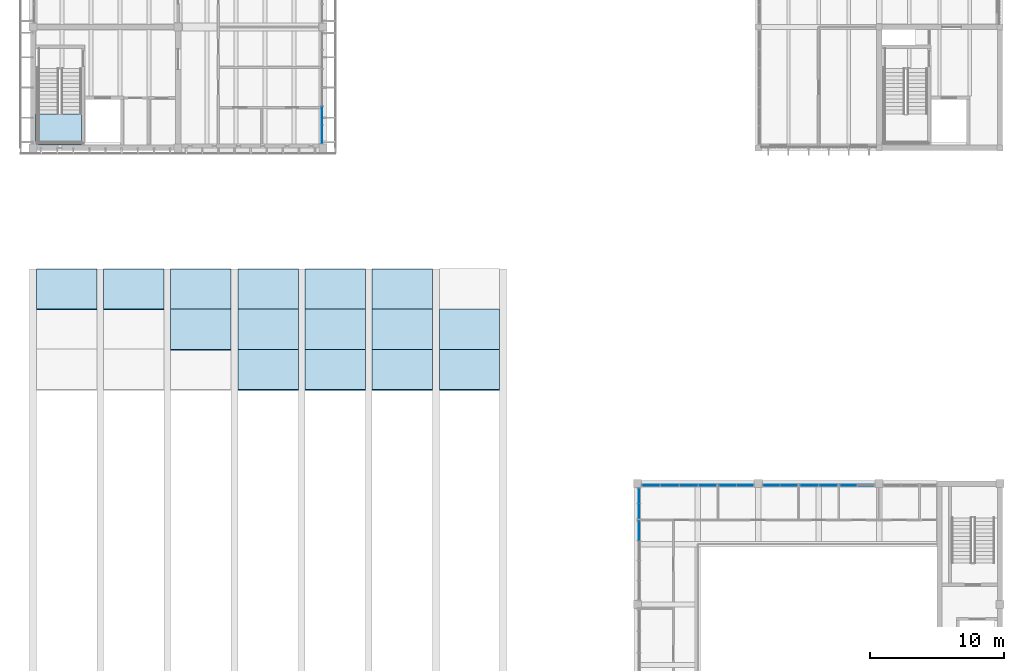
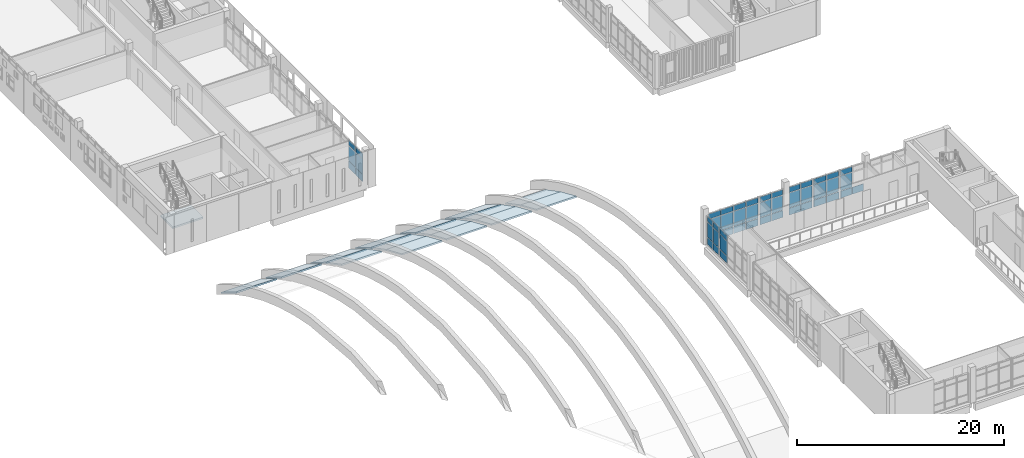
# One storey, part 38 of 88: 49 plates, 16 slabs, 9 elements without a shape of their own.
"""IFC4 building model written with IfcOpenShell, lengths in metres."""

from ifc_helpers import new_model, si_unit, direction, frame, origin, origin_2d, place, context, subcontext, project, spatial, polyline, rectangle, outline, extrude, material, layer, layer_set, type_object, element, aggregate, save


model = new_model("IFC4")

# Units and contexts
model_context = context("Model", 3, precision=1e-05, world=origin(), true_north=direction((0.0, 1.0)))
body_context = subcontext(model_context, "Body", "Model", "MODEL_VIEW")
ifc_project = project(units=[si_unit("LENGTHUNIT", "METRE"), si_unit("AREAUNIT", "SQUARE_METRE"), si_unit("VOLUMEUNIT", "CUBIC_METRE"), si_unit("PLANEANGLEUNIT", "RADIAN"), si_unit("MASSUNIT", "GRAM", prefix="KILO")], contexts=[model_context])

# Site, building, storey
site_placement = place(None, origin())
site = spatial("IfcSite", under=ifc_project, at=site_placement, CompositionType="ELEMENT")
building_placement = place(site_placement, origin())
building = spatial("IfcBuilding", under=site, at=building_placement, Name="Merrow Basin Faculty of Sciences", CompositionType="ELEMENT")
storey_placement = place(building_placement, frame((0.0, 0.0, 9.0)))
storey = spatial("IfcBuildingStorey", under=building, at=storey_placement, Name="L02", CompositionType="ELEMENT", Elevation=9.0)

# Curtain wall, plates
ifc_material_1 = material(Name="Aluminium alloy 6063", Category="aluminium")
curtain_wall_type_1 = type_object("IfcCurtainWallType", Name="Atrium unitised curtain wall 240", PredefinedType="NOTDEFINED", material=ifc_material_1)
curtain_wall_1_placement = place(storey_placement, origin())
curtain_wall_1 = element("IfcCurtainWall", 1, at=curtain_wall_1_placement, inside=storey, type_object=curtain_wall_type_1, Name="W curtain wall L02 4", PredefinedType="NOTDEFINED")
ifc_material_2 = material(Name="Low-E double glazing", Category="glass")
ifc_layer_1 = layer(ifc_material_2, 0.031982421875)
ifc_layer_set_1 = layer_set([ifc_layer_1], Name="Acoustic double glazed panel 32")
plate_type_1 = type_object("IfcPlateType", Name="Acoustic double glazed panel 32", PredefinedType="CURTAIN_PANEL", material=ifc_layer_set_1)
plate_1_placement = place(storey_placement, frame((45.1201171875, 32.4912109375, 0.93017578125), z_axis=(0.0, 0.0, 1.0), x_axis=(0.0, 1.0, 0.0)))
plate_1 = element("IfcPlate", 2, at=plate_1_placement, type_object=plate_type_1, Name="CW5 panel 4.2", PredefinedType="CURTAIN_PANEL", context=body_context, shape_type="SweptSolid", body=[
    extrude(rectangle(XDim=1.3974609375, YDim=0.031982421875, at=origin_2d()), origin(), (0.0, 0.0, 1.0), 1.739990234375),
])
plate_2_placement = place(storey_placement, frame((45.1201171875, 32.4912109375, 2.72998046875), z_axis=(0.0, 0.0, 1.0), x_axis=(0.0, 1.0, 0.0)))
plate_2 = element("IfcPlate", 3, at=plate_2_placement, type_object=plate_type_1, Name="CW5 panel 4.3", PredefinedType="CURTAIN_PANEL", context=body_context, shape_type="SweptSolid", body=[
    extrude(rectangle(XDim=1.3974609375, YDim=0.031982421875, at=origin_2d()), origin(), (0.0, 0.0, 1.0), 0.610107421875),
])

curtain_wall_2_placement = place(storey_placement, origin())
curtain_wall_2 = element("IfcCurtainWall", 4, at=curtain_wall_2_placement, inside=storey, type_object=curtain_wall_type_1, Name="W curtain wall L02 5", PredefinedType="NOTDEFINED")
plate_3_placement = place(storey_placement, frame((45.1201171875, 33.952392578125, 0.93017578125), z_axis=(0.0, 0.0, 1.0), x_axis=(0.0, 1.0, 0.0)))
plate_3 = element("IfcPlate", 5, at=plate_3_placement, type_object=plate_type_1, Name="CW5 panel 1.2", PredefinedType="CURTAIN_PANEL", context=body_context, shape_type="SweptSolid", body=[
    extrude(rectangle(XDim=1.0849609375, YDim=0.031982421875, at=origin_2d()), origin(), (0.0, 0.0, 1.0), 1.739990234375),
])
plate_4_placement = place(storey_placement, frame((45.1201171875, 33.952392578125, 2.72998046875), z_axis=(0.0, 0.0, 1.0), x_axis=(0.0, 1.0, 0.0)))
plate_4 = element("IfcPlate", 6, at=plate_4_placement, type_object=plate_type_1, Name="CW5 panel 1.3", PredefinedType="CURTAIN_PANEL", context=body_context, shape_type="SweptSolid", body=[
    extrude(rectangle(XDim=1.0849609375, YDim=0.031982421875, at=origin_2d()), origin(), (0.0, 0.0, 1.0), 0.610107421875),
])
plate_5_placement = place(storey_placement, frame((45.1201171875, 35.097412109375, 0.93017578125), z_axis=(0.0, 0.0, 1.0), x_axis=(0.0, 1.0, 0.0)))
plate_5 = element("IfcPlate", 7, at=plate_5_placement, type_object=plate_type_1, Name="CW5 panel 2.2", PredefinedType="CURTAIN_PANEL", context=body_context, shape_type="SweptSolid", body=[
    extrude(rectangle(XDim=1.0849609375, YDim=0.031982421875, at=origin_2d()), origin(), (0.0, 0.0, 1.0), 1.739990234375),
])
plate_6_placement = place(storey_placement, frame((45.1201171875, 35.097412109375, 2.72998046875), z_axis=(0.0, 0.0, 1.0), x_axis=(0.0, 1.0, 0.0)))
plate_6 = element("IfcPlate", 8, at=plate_6_placement, type_object=plate_type_1, Name="CW5 panel 2.3", PredefinedType="CURTAIN_PANEL", context=body_context, shape_type="SweptSolid", body=[
    extrude(rectangle(XDim=1.0849609375, YDim=0.031982421875, at=origin_2d()), origin(), (0.0, 0.0, 1.0), 0.610107421875),
])

curtain_wall_3_placement = place(storey_placement, origin())
curtain_wall_3 = element("IfcCurtainWall", 9, at=curtain_wall_3_placement, inside=storey, type_object=curtain_wall_type_1, Name="N curtain wall L02 1", PredefinedType="NOTDEFINED")
plate_7_placement = place(storey_placement, frame((46.021240234375, 35.8798828125, 0.93017578125), z_axis=(0.0, 0.0, 1.0), x_axis=(1.0, 0.0, 0.0)))
plate_7 = element("IfcPlate", 10, at=plate_7_placement, type_object=plate_type_1, Name="CW5 panel 1.2", PredefinedType="CURTAIN_PANEL", context=body_context, shape_type="SweptSolid", body=[
    extrude(rectangle(XDim=1.322509765625, YDim=0.031982421875, at=origin_2d()), origin(), (0.0, 0.0, 1.0), 1.739990234375),
])
plate_8_placement = place(storey_placement, frame((46.021240234375, 35.8798828125, 2.72998046875), z_axis=(0.0, 0.0, 1.0), x_axis=(1.0, 0.0, 0.0)))
plate_8 = element("IfcPlate", 11, at=plate_8_placement, type_object=plate_type_1, Name="CW5 panel 1.3", PredefinedType="CURTAIN_PANEL", context=body_context, shape_type="SweptSolid", body=[
    extrude(rectangle(XDim=1.322509765625, YDim=0.031982421875, at=origin_2d()), origin(), (0.0, 0.0, 1.0), 0.610107421875),
])
plate_9_placement = place(storey_placement, frame((47.418701171875, 35.8798828125, 0.93017578125), z_axis=(0.0, 0.0, 1.0), x_axis=(1.0, 0.0, 0.0)))
plate_9 = element("IfcPlate", 12, at=plate_9_placement, type_object=plate_type_1, Name="CW5 panel 2.2", PredefinedType="CURTAIN_PANEL", context=body_context, shape_type="SweptSolid", body=[
    extrude(rectangle(XDim=1.3525390625, YDim=0.031982421875, at=origin_2d()), origin(), (0.0, 0.0, 1.0), 1.739990234375),
])
plate_10_placement = place(storey_placement, frame((47.418701171875, 35.8798828125, 2.72998046875), z_axis=(0.0, 0.0, 1.0), x_axis=(1.0, 0.0, 0.0)))
plate_10 = element("IfcPlate", 13, at=plate_10_placement, type_object=plate_type_1, Name="CW5 panel 2.3", PredefinedType="CURTAIN_PANEL", context=body_context, shape_type="SweptSolid", body=[
    extrude(rectangle(XDim=1.3525390625, YDim=0.031982421875, at=origin_2d()), origin(), (0.0, 0.0, 1.0), 0.610107421875),
])
plate_11_placement = place(storey_placement, frame((48.831298828125, 35.8798828125, 0.93017578125), z_axis=(0.0, 0.0, 1.0), x_axis=(1.0, 0.0, 0.0)))
plate_11 = element("IfcPlate", 14, at=plate_11_placement, type_object=plate_type_1, Name="CW5 panel 3.2", PredefinedType="CURTAIN_PANEL", context=body_context, shape_type="SweptSolid", body=[
    extrude(rectangle(XDim=1.3525390625, YDim=0.031982421875, at=origin_2d()), origin(), (0.0, 0.0, 1.0), 1.739990234375),
])
plate_12_placement = place(storey_placement, frame((48.831298828125, 35.8798828125, 2.72998046875), z_axis=(0.0, 0.0, 1.0), x_axis=(1.0, 0.0, 0.0)))
plate_12 = element("IfcPlate", 15, at=plate_12_placement, type_object=plate_type_1, Name="CW5 panel 3.3", PredefinedType="CURTAIN_PANEL", context=body_context, shape_type="SweptSolid", body=[
    extrude(rectangle(XDim=1.3525390625, YDim=0.031982421875, at=origin_2d()), origin(), (0.0, 0.0, 1.0), 0.610107421875),
])
plate_13_placement = place(storey_placement, frame((50.228759765625, 35.8798828125, 0.93017578125), z_axis=(0.0, 0.0, 1.0), x_axis=(1.0, 0.0, 0.0)))
plate_13 = element("IfcPlate", 16, at=plate_13_placement, type_object=plate_type_1, Name="CW5 panel 4.2", PredefinedType="CURTAIN_PANEL", context=body_context, shape_type="SweptSolid", body=[
    extrude(rectangle(XDim=1.322509765625, YDim=0.031982421875, at=origin_2d()), origin(), (0.0, 0.0, 1.0), 1.739990234375),
])
plate_14_placement = place(storey_placement, frame((50.228759765625, 35.8798828125, 2.72998046875), z_axis=(0.0, 0.0, 1.0), x_axis=(1.0, 0.0, 0.0)))
plate_14 = element("IfcPlate", 17, at=plate_14_placement, type_object=plate_type_1, Name="CW5 panel 4.3", PredefinedType="CURTAIN_PANEL", context=body_context, shape_type="SweptSolid", body=[
    extrude(rectangle(XDim=1.322509765625, YDim=0.031982421875, at=origin_2d()), origin(), (0.0, 0.0, 1.0), 0.610107421875),
])

curtain_wall_4_placement = place(storey_placement, origin())
curtain_wall_4 = element("IfcCurtainWall", 18, at=curtain_wall_4_placement, inside=storey, type_object=curtain_wall_type_1, Name="N curtain wall L02 2", PredefinedType="NOTDEFINED")
plate_15_placement = place(storey_placement, frame((51.7275390625, 35.8798828125, 0.93017578125), z_axis=(0.0, 0.0, 1.0), x_axis=(1.0, 0.0, 0.0)))
plate_15 = element("IfcPlate", 19, at=plate_15_placement, type_object=plate_type_1, Name="CW5 panel 1.2", PredefinedType="CURTAIN_PANEL", context=body_context, shape_type="SweptSolid", body=[
    extrude(rectangle(XDim=1.235107421875, YDim=0.031982421875, at=origin_2d()), origin(), (0.0, 0.0, 1.0), 1.739990234375),
])
plate_16_placement = place(storey_placement, frame((51.7275390625, 35.8798828125, 2.72998046875), z_axis=(0.0, 0.0, 1.0), x_axis=(1.0, 0.0, 0.0)))
plate_16 = element("IfcPlate", 20, at=plate_16_placement, type_object=plate_type_1, Name="CW5 panel 1.3", PredefinedType="CURTAIN_PANEL", context=body_context, shape_type="SweptSolid", body=[
    extrude(rectangle(XDim=1.235107421875, YDim=0.031982421875, at=origin_2d()), origin(), (0.0, 0.0, 1.0), 0.610107421875),
])
plate_17_placement = place(storey_placement, frame((53.0224609375, 35.8798828125, 0.93017578125), z_axis=(0.0, 0.0, 1.0), x_axis=(1.0, 0.0, 0.0)))
plate_17 = element("IfcPlate", 21, at=plate_17_placement, type_object=plate_type_1, Name="CW5 panel 2.2", PredefinedType="CURTAIN_PANEL", context=body_context, shape_type="SweptSolid", body=[
    extrude(rectangle(XDim=1.235107421875, YDim=0.031982421875, at=origin_2d()), origin(), (0.0, 0.0, 1.0), 1.739990234375),
])
plate_18_placement = place(storey_placement, frame((53.0224609375, 35.8798828125, 2.72998046875), z_axis=(0.0, 0.0, 1.0), x_axis=(1.0, 0.0, 0.0)))
plate_18 = element("IfcPlate", 22, at=plate_18_placement, type_object=plate_type_1, Name="CW5 panel 2.3", PredefinedType="CURTAIN_PANEL", context=body_context, shape_type="SweptSolid", body=[
    extrude(rectangle(XDim=1.235107421875, YDim=0.031982421875, at=origin_2d()), origin(), (0.0, 0.0, 1.0), 0.610107421875),
])

curtain_wall_5_placement = place(storey_placement, origin())
curtain_wall_5 = element("IfcCurtainWall", 23, at=curtain_wall_5_placement, inside=storey, type_object=curtain_wall_type_1, Name="N curtain wall L02 3", PredefinedType="NOTDEFINED")
plate_19_placement = place(storey_placement, frame((54.9775390625, 35.8798828125, 0.93017578125), z_axis=(0.0, 0.0, 1.0), x_axis=(1.0, 0.0, 0.0)))
plate_19 = element("IfcPlate", 24, at=plate_19_placement, type_object=plate_type_1, Name="CW5 panel 1.2", PredefinedType="CURTAIN_PANEL", context=body_context, shape_type="SweptSolid", body=[
    extrude(rectangle(XDim=1.235107421875, YDim=0.031982421875, at=origin_2d()), origin(), (0.0, 0.0, 1.0), 1.739990234375),
])
plate_20_placement = place(storey_placement, frame((54.9775390625, 35.8798828125, 2.72998046875), z_axis=(0.0, 0.0, 1.0), x_axis=(1.0, 0.0, 0.0)))
plate_20 = element("IfcPlate", 25, at=plate_20_placement, type_object=plate_type_1, Name="CW5 panel 1.3", PredefinedType="CURTAIN_PANEL", context=body_context, shape_type="SweptSolid", body=[
    extrude(rectangle(XDim=1.235107421875, YDim=0.031982421875, at=origin_2d()), origin(), (0.0, 0.0, 1.0), 0.610107421875),
])
plate_21_placement = place(storey_placement, frame((56.2724609375, 35.8798828125, 0.93017578125), z_axis=(0.0, 0.0, 1.0), x_axis=(1.0, 0.0, 0.0)))
plate_21 = element("IfcPlate", 26, at=plate_21_placement, type_object=plate_type_1, Name="CW5 panel 2.2", PredefinedType="CURTAIN_PANEL", context=body_context, shape_type="SweptSolid", body=[
    extrude(rectangle(XDim=1.235107421875, YDim=0.031982421875, at=origin_2d()), origin(), (0.0, 0.0, 1.0), 1.739990234375),
])
plate_22_placement = place(storey_placement, frame((56.2724609375, 35.8798828125, 2.72998046875), z_axis=(0.0, 0.0, 1.0), x_axis=(1.0, 0.0, 0.0)))
plate_22 = element("IfcPlate", 27, at=plate_22_placement, type_object=plate_type_1, Name="CW5 panel 2.3", PredefinedType="CURTAIN_PANEL", context=body_context, shape_type="SweptSolid", body=[
    extrude(rectangle(XDim=1.235107421875, YDim=0.031982421875, at=origin_2d()), origin(), (0.0, 0.0, 1.0), 0.610107421875),
])

curtain_wall_6_placement = place(storey_placement, origin())
curtain_wall_6 = element("IfcCurtainWall", 28, at=curtain_wall_6_placement, inside=storey, type_object=curtain_wall_type_1, Name="N curtain wall L02 4", PredefinedType="NOTDEFINED")
plate_23_placement = place(storey_placement, frame((57.7900390625, 35.8798828125, 0.93017578125), z_axis=(0.0, 0.0, 1.0), x_axis=(1.0, 0.0, 0.0)))
plate_23 = element("IfcPlate", 29, at=plate_23_placement, type_object=plate_type_1, Name="CW5 panel 1.2", PredefinedType="CURTAIN_PANEL", context=body_context, shape_type="SweptSolid", body=[
    extrude(rectangle(XDim=1.360107421875, YDim=0.031982421875, at=origin_2d()), origin(), (0.0, 0.0, 1.0), 1.739990234375),
])
plate_24_placement = place(storey_placement, frame((57.7900390625, 35.8798828125, 2.72998046875), z_axis=(0.0, 0.0, 1.0), x_axis=(1.0, 0.0, 0.0)))
plate_24 = element("IfcPlate", 30, at=plate_24_placement, type_object=plate_type_1, Name="CW5 panel 1.3", PredefinedType="CURTAIN_PANEL", context=body_context, shape_type="SweptSolid", body=[
    extrude(rectangle(XDim=1.360107421875, YDim=0.031982421875, at=origin_2d()), origin(), (0.0, 0.0, 1.0), 0.610107421875),
])
plate_25_placement = place(storey_placement, frame((59.2099609375, 35.8798828125, 0.93017578125), z_axis=(0.0, 0.0, 1.0), x_axis=(1.0, 0.0, 0.0)))
plate_25 = element("IfcPlate", 31, at=plate_25_placement, type_object=plate_type_1, Name="CW5 panel 2.2", PredefinedType="CURTAIN_PANEL", context=body_context, shape_type="SweptSolid", body=[
    extrude(rectangle(XDim=1.360107421875, YDim=0.031982421875, at=origin_2d()), origin(), (0.0, 0.0, 1.0), 1.739990234375),
])
plate_26_placement = place(storey_placement, frame((59.2099609375, 35.8798828125, 2.72998046875), z_axis=(0.0, 0.0, 1.0), x_axis=(1.0, 0.0, 0.0)))
plate_26 = element("IfcPlate", 32, at=plate_26_placement, type_object=plate_type_1, Name="CW5 panel 2.3", PredefinedType="CURTAIN_PANEL", context=body_context, shape_type="SweptSolid", body=[
    extrude(rectangle(XDim=1.360107421875, YDim=0.031982421875, at=origin_2d()), origin(), (0.0, 0.0, 1.0), 0.610107421875),
])

curtain_wall_7_placement = place(storey_placement, origin())
curtain_wall_7 = element("IfcCurtainWall", 33, at=curtain_wall_7_placement, inside=storey, type_object=curtain_wall_type_1, Name="N curtain wall L02 5", PredefinedType="NOTDEFINED")
plate_27_placement = place(storey_placement, frame((60.7275390625, 35.8798828125, 0.93017578125), z_axis=(0.0, 0.0, 1.0), x_axis=(1.0, 0.0, 0.0)))
plate_27 = element("IfcPlate", 34, at=plate_27_placement, type_object=plate_type_1, Name="CW5 panel 1.2", PredefinedType="CURTAIN_PANEL", context=body_context, shape_type="SweptSolid", body=[
    extrude(rectangle(XDim=1.235107421875, YDim=0.031982421875, at=origin_2d()), origin(), (0.0, 0.0, 1.0), 1.739990234375),
])
plate_28_placement = place(storey_placement, frame((60.7275390625, 35.8798828125, 2.72998046875), z_axis=(0.0, 0.0, 1.0), x_axis=(1.0, 0.0, 0.0)))
plate_28 = element("IfcPlate", 35, at=plate_28_placement, type_object=plate_type_1, Name="CW5 panel 1.3", PredefinedType="CURTAIN_PANEL", context=body_context, shape_type="SweptSolid", body=[
    extrude(rectangle(XDim=1.235107421875, YDim=0.031982421875, at=origin_2d()), origin(), (0.0, 0.0, 1.0), 0.610107421875),
])

ifc_material_3 = material(Name="Aluminium alloy 6063", Category="aluminium")
curtain_wall_type_2 = type_object("IfcCurtainWallType", Name="Bar unitised curtain wall 180", PredefinedType="NOTDEFINED", material=ifc_material_3)
curtain_wall_8_placement = place(storey_placement, origin())
curtain_wall_8 = element("IfcCurtainWall", 36, at=curtain_wall_8_placement, inside=storey, type_object=curtain_wall_type_2, Name="East curtain wall L02 1", PredefinedType="NOTDEFINED")
ifc_material_4 = material(Name="Insulated aluminium spandrel panel", Category="aluminium")
ifc_layer_2 = layer(ifc_material_4, 0.052001953125)
ifc_layer_set_2 = layer_set([ifc_layer_2], Name="Insulated spandrel panel 52")
plate_type_2 = type_object("IfcPlateType", Name="Insulated spandrel panel 52", PredefinedType="CURTAIN_PANEL", material=ifc_layer_set_2)
plate_29_placement = place(storey_placement, frame((21.510009765625, 62.014892578125, 0.06005859375), z_axis=(0.0, 0.0, 1.0), x_axis=(0.0, 1.0, 0.0)))
plate_29 = element("IfcPlate", 37, at=plate_29_placement, type_object=plate_type_2, Name="CW1 panel 1.1", PredefinedType="CURTAIN_PANEL", context=body_context, shape_type="SweptSolid", body=[
    extrude(rectangle(XDim=1.31005859375, YDim=0.052001953125, at=origin_2d()), origin(), (0.0, 0.0, 1.0), 0.81005859375),
])
plate_30_placement = place(storey_placement, frame((21.510009765625, 63.39990234375, 0.06005859375), z_axis=(0.0, 0.0, 1.0), x_axis=(0.0, 1.0, 0.0)))
plate_30 = element("IfcPlate", 38, at=plate_30_placement, type_object=plate_type_2, Name="CW1 panel 2.1", PredefinedType="CURTAIN_PANEL", context=body_context, shape_type="SweptSolid", body=[
    extrude(rectangle(XDim=1.340087890625, YDim=0.052001953125, at=origin_2d()), origin(), (0.0, 0.0, 1.0), 0.81005859375),
])

# Plate
plate_31_placement = place(storey_placement, frame((45.1201171875, 32.4912109375, 0.06005859375), z_axis=(0.0, 0.0, 1.0), x_axis=(0.0, 1.0, 0.0)))
plate_31 = element("IfcPlate", 39, at=plate_31_placement, type_object=plate_type_2, Name="CW5 panel 4.1", PredefinedType="CURTAIN_PANEL", context=body_context, shape_type="SweptSolid", body=[
    extrude(rectangle(XDim=1.3974609375, YDim=0.052001953125, at=origin_2d()), origin(), (0.0, 0.0, 1.0), 0.81005859375),
])

aggregate(curtain_wall_1, [plate_31, plate_1, plate_2])

plate_32_placement = place(storey_placement, frame((45.1201171875, 33.952392578125, 0.06005859375), z_axis=(0.0, 0.0, 1.0), x_axis=(0.0, 1.0, 0.0)))
plate_32 = element("IfcPlate", 40, at=plate_32_placement, type_object=plate_type_2, Name="CW5 panel 1.1", PredefinedType="CURTAIN_PANEL", context=body_context, shape_type="SweptSolid", body=[
    extrude(rectangle(XDim=1.0849609375, YDim=0.052001953125, at=origin_2d()), origin(), (0.0, 0.0, 1.0), 0.81005859375),
])

plate_33_placement = place(storey_placement, frame((45.1201171875, 35.097412109375, 0.06005859375), z_axis=(0.0, 0.0, 1.0), x_axis=(0.0, 1.0, 0.0)))
plate_33 = element("IfcPlate", 41, at=plate_33_placement, type_object=plate_type_2, Name="CW5 panel 2.1", PredefinedType="CURTAIN_PANEL", context=body_context, shape_type="SweptSolid", body=[
    extrude(rectangle(XDim=1.0849609375, YDim=0.052001953125, at=origin_2d()), origin(), (0.0, 0.0, 1.0), 0.81005859375),
])

aggregate(curtain_wall_2, [plate_32, plate_3, plate_4, plate_33, plate_5, plate_6])

plate_34_placement = place(storey_placement, frame((46.021240234375, 35.8798828125, 0.06005859375), z_axis=(0.0, 0.0, 1.0), x_axis=(1.0, 0.0, 0.0)))
plate_34 = element("IfcPlate", 42, at=plate_34_placement, type_object=plate_type_2, Name="CW5 panel 1.1", PredefinedType="CURTAIN_PANEL", context=body_context, shape_type="SweptSolid", body=[
    extrude(rectangle(XDim=1.322509765625, YDim=0.052001953125, at=origin_2d()), origin(), (0.0, 0.0, 1.0), 0.81005859375),
])

plate_35_placement = place(storey_placement, frame((47.418701171875, 35.8798828125, 0.06005859375), z_axis=(0.0, 0.0, 1.0), x_axis=(1.0, 0.0, 0.0)))
plate_35 = element("IfcPlate", 43, at=plate_35_placement, type_object=plate_type_2, Name="CW5 panel 2.1", PredefinedType="CURTAIN_PANEL", context=body_context, shape_type="SweptSolid", body=[
    extrude(rectangle(XDim=1.3525390625, YDim=0.052001953125, at=origin_2d()), origin(), (0.0, 0.0, 1.0), 0.81005859375),
])

plate_36_placement = place(storey_placement, frame((48.831298828125, 35.8798828125, 0.06005859375), z_axis=(0.0, 0.0, 1.0), x_axis=(1.0, 0.0, 0.0)))
plate_36 = element("IfcPlate", 44, at=plate_36_placement, type_object=plate_type_2, Name="CW5 panel 3.1", PredefinedType="CURTAIN_PANEL", context=body_context, shape_type="SweptSolid", body=[
    extrude(rectangle(XDim=1.3525390625, YDim=0.052001953125, at=origin_2d()), origin(), (0.0, 0.0, 1.0), 0.81005859375),
])

plate_37_placement = place(storey_placement, frame((50.228759765625, 35.8798828125, 0.06005859375), z_axis=(0.0, 0.0, 1.0), x_axis=(1.0, 0.0, 0.0)))
plate_37 = element("IfcPlate", 45, at=plate_37_placement, type_object=plate_type_2, Name="CW5 panel 4.1", PredefinedType="CURTAIN_PANEL", context=body_context, shape_type="SweptSolid", body=[
    extrude(rectangle(XDim=1.322509765625, YDim=0.052001953125, at=origin_2d()), origin(), (0.0, 0.0, 1.0), 0.81005859375),
])

aggregate(curtain_wall_3, [plate_34, plate_7, plate_8, plate_35, plate_9, plate_10, plate_36, plate_11, plate_12, plate_37, plate_13, plate_14])

plate_38_placement = place(storey_placement, frame((51.7275390625, 35.8798828125, 0.06005859375), z_axis=(0.0, 0.0, 1.0), x_axis=(1.0, 0.0, 0.0)))
plate_38 = element("IfcPlate", 46, at=plate_38_placement, type_object=plate_type_2, Name="CW5 panel 1.1", PredefinedType="CURTAIN_PANEL", context=body_context, shape_type="SweptSolid", body=[
    extrude(rectangle(XDim=1.235107421875, YDim=0.052001953125, at=origin_2d()), origin(), (0.0, 0.0, 1.0), 0.81005859375),
])

plate_39_placement = place(storey_placement, frame((53.0224609375, 35.8798828125, 0.06005859375), z_axis=(0.0, 0.0, 1.0), x_axis=(1.0, 0.0, 0.0)))
plate_39 = element("IfcPlate", 47, at=plate_39_placement, type_object=plate_type_2, Name="CW5 panel 2.1", PredefinedType="CURTAIN_PANEL", context=body_context, shape_type="SweptSolid", body=[
    extrude(rectangle(XDim=1.235107421875, YDim=0.052001953125, at=origin_2d()), origin(), (0.0, 0.0, 1.0), 0.81005859375),
])

aggregate(curtain_wall_4, [plate_38, plate_15, plate_16, plate_39, plate_17, plate_18])

plate_40_placement = place(storey_placement, frame((54.9775390625, 35.8798828125, 0.06005859375), z_axis=(0.0, 0.0, 1.0), x_axis=(1.0, 0.0, 0.0)))
plate_40 = element("IfcPlate", 48, at=plate_40_placement, type_object=plate_type_2, Name="CW5 panel 1.1", PredefinedType="CURTAIN_PANEL", context=body_context, shape_type="SweptSolid", body=[
    extrude(rectangle(XDim=1.235107421875, YDim=0.052001953125, at=origin_2d()), origin(), (0.0, 0.0, 1.0), 0.81005859375),
])

plate_41_placement = place(storey_placement, frame((56.2724609375, 35.8798828125, 0.06005859375), z_axis=(0.0, 0.0, 1.0), x_axis=(1.0, 0.0, 0.0)))
plate_41 = element("IfcPlate", 49, at=plate_41_placement, type_object=plate_type_2, Name="CW5 panel 2.1", PredefinedType="CURTAIN_PANEL", context=body_context, shape_type="SweptSolid", body=[
    extrude(rectangle(XDim=1.235107421875, YDim=0.052001953125, at=origin_2d()), origin(), (0.0, 0.0, 1.0), 0.81005859375),
])

aggregate(curtain_wall_5, [plate_40, plate_19, plate_20, plate_41, plate_21, plate_22])

plate_42_placement = place(storey_placement, frame((57.7900390625, 35.8798828125, 0.06005859375), z_axis=(0.0, 0.0, 1.0), x_axis=(1.0, 0.0, 0.0)))
plate_42 = element("IfcPlate", 50, at=plate_42_placement, type_object=plate_type_2, Name="CW5 panel 1.1", PredefinedType="CURTAIN_PANEL", context=body_context, shape_type="SweptSolid", body=[
    extrude(rectangle(XDim=1.360107421875, YDim=0.052001953125, at=origin_2d()), origin(), (0.0, 0.0, 1.0), 0.81005859375),
])

plate_43_placement = place(storey_placement, frame((59.2099609375, 35.8798828125, 0.06005859375), z_axis=(0.0, 0.0, 1.0), x_axis=(1.0, 0.0, 0.0)))
plate_43 = element("IfcPlate", 51, at=plate_43_placement, type_object=plate_type_2, Name="CW5 panel 2.1", PredefinedType="CURTAIN_PANEL", context=body_context, shape_type="SweptSolid", body=[
    extrude(rectangle(XDim=1.360107421875, YDim=0.052001953125, at=origin_2d()), origin(), (0.0, 0.0, 1.0), 0.81005859375),
])

aggregate(curtain_wall_6, [plate_42, plate_23, plate_24, plate_43, plate_25, plate_26])

plate_44_placement = place(storey_placement, frame((60.7275390625, 35.8798828125, 0.06005859375), z_axis=(0.0, 0.0, 1.0), x_axis=(1.0, 0.0, 0.0)))
plate_44 = element("IfcPlate", 52, at=plate_44_placement, type_object=plate_type_2, Name="CW5 panel 1.1", PredefinedType="CURTAIN_PANEL", context=body_context, shape_type="SweptSolid", body=[
    extrude(rectangle(XDim=1.235107421875, YDim=0.052001953125, at=origin_2d()), origin(), (0.0, 0.0, 1.0), 0.81005859375),
])

plate_45_placement = place(storey_placement, frame((62.0224609375, 35.8798828125, 0.06005859375), z_axis=(0.0, 0.0, 1.0), x_axis=(1.0, 0.0, 0.0)))
plate_45 = element("IfcPlate", 53, at=plate_45_placement, type_object=plate_type_2, Name="CW5 panel 2.1", PredefinedType="CURTAIN_PANEL", context=body_context, shape_type="SweptSolid", body=[
    extrude(rectangle(XDim=1.235107421875, YDim=0.052001953125, at=origin_2d()), origin(), (0.0, 0.0, 1.0), 0.81005859375),
])

aggregate(curtain_wall_7, [plate_44, plate_27, plate_28, plate_45])

ifc_material_5 = material(Name="Low-E double glazing", Category="glass")
ifc_layer_3 = layer(ifc_material_5, 0.028076171875)
ifc_layer_set_3 = layer_set([ifc_layer_3], Name="Low-E double glazed panel 28")
plate_type_3 = type_object("IfcPlateType", Name="Low-E double glazed panel 28", PredefinedType="CURTAIN_PANEL", material=ifc_layer_set_3)
plate_46_placement = place(storey_placement, frame((21.510009765625, 62.014892578125, 0.93017578125), z_axis=(0.0, 0.0, 1.0), x_axis=(0.0, 1.0, 0.0)))
plate_46 = element("IfcPlate", 54, at=plate_46_placement, type_object=plate_type_3, Name="CW1 panel 1.2", PredefinedType="CURTAIN_PANEL", context=body_context, shape_type="SweptSolid", body=[
    extrude(rectangle(XDim=1.31005859375, YDim=0.028076171875, at=origin_2d()), origin(), (0.0, 0.0, 1.0), 1.739990234375),
])

plate_47_placement = place(storey_placement, frame((21.510009765625, 62.014892578125, 2.72998046875), z_axis=(0.0, 0.0, 1.0), x_axis=(0.0, 1.0, 0.0)))
plate_47 = element("IfcPlate", 55, at=plate_47_placement, type_object=plate_type_3, Name="CW1 panel 1.3", PredefinedType="CURTAIN_PANEL", context=body_context, shape_type="SweptSolid", body=[
    extrude(rectangle(XDim=1.31005859375, YDim=0.028076171875, at=origin_2d()), origin(), (0.0, 0.0, 1.0), 0.610107421875),
])

plate_48_placement = place(storey_placement, frame((21.510009765625, 63.39990234375, 0.93017578125), z_axis=(0.0, 0.0, 1.0), x_axis=(0.0, 1.0, 0.0)))
plate_48 = element("IfcPlate", 56, at=plate_48_placement, type_object=plate_type_3, Name="CW1 panel 2.2", PredefinedType="CURTAIN_PANEL", context=body_context, shape_type="SweptSolid", body=[
    extrude(rectangle(XDim=1.340087890625, YDim=0.028076171875, at=origin_2d()), origin(), (0.0, 0.0, 1.0), 1.739990234375),
])

plate_49_placement = place(storey_placement, frame((21.510009765625, 63.39990234375, 2.72998046875), z_axis=(0.0, 0.0, 1.0), x_axis=(0.0, 1.0, 0.0)))
plate_49 = element("IfcPlate", 57, at=plate_49_placement, type_object=plate_type_3, Name="CW1 panel 2.3", PredefinedType="CURTAIN_PANEL", context=body_context, shape_type="SweptSolid", body=[
    extrude(rectangle(XDim=1.340087890625, YDim=0.028076171875, at=origin_2d()), origin(), (0.0, 0.0, 1.0), 0.610107421875),
])

aggregate(curtain_wall_8, [plate_29, plate_46, plate_47, plate_30, plate_48, plate_49])

# Slabs
ifc_material_6 = material(Name="Concrete C50/60", Category="concrete")
ifc_layer_4 = layer(ifc_material_6, 0.14990234375)
ifc_layer_set_4 = layer_set([ifc_layer_4], Name="Shell strip 150 Concrete C50/60")
slab_type_1 = type_object("IfcSlabType", Name="Shell strip 150 Concrete C50/60", PredefinedType="ROOF", material=ifc_layer_set_4)
for number, where, z_axis, x_axis, name in (
    (58, (0.25, 49.0, 1.994384765625), (0.0, 0.528358336207, 0.84902147709), (1.0, 0.0, 0.0), "Shell strip 1.14"),
    (59, (5.25, 49.0, 1.994384765625), (0.0, 0.528358336207, 0.84902147709), (1.0, 0.0, 0.0), "Shell strip 2.14"),
):
    element("IfcSlab", number, at=place(storey_placement, frame(where, z_axis=z_axis, x_axis=x_axis)), inside=storey, type_object=slab_type_1, Name=name, PredefinedType="ROOF", context=body_context, shape_type="SweptSolid", body=[
        extrude(outline(polyline([(0.0, 0.0), (4.5, 0.0), (4.5, 3.53347951842294), (0.0, 3.53347951842294), (0.0, 0.0)])), origin(), (0.0, 0.0, -1.0), 0.14990234375),
    ])
slab_1_placement = place(storey_placement, frame((10.25, 46.0, 3.564453125), z_axis=(0.0, 0.46369174099, 0.885996596685), x_axis=(1.0, 0.0, 0.0)))
element("IfcSlab", 60, at=slab_1_placement, inside=storey, type_object=slab_type_1, Name="Shell strip 3.13", PredefinedType="ROOF", context=body_context, shape_type="SweptSolid", body=[
    extrude(outline(polyline([(0.0, 0.0), (4.5, 0.0), (4.5, 3.3860175210873473), (0.0, 3.3860175210873473), (0.0, 0.0)])), origin(), (0.0, 0.0, -1.0), 0.14990234375),
])
slab_2_placement = place(storey_placement, frame((10.25, 49.0, 1.994384765625), z_axis=(0.0, 0.528358336207, 0.84902147709), x_axis=(1.0, 0.0, 0.0)))
element("IfcSlab", 61, at=slab_2_placement, inside=storey, type_object=slab_type_1, Name="Shell strip 3.14", PredefinedType="ROOF", context=body_context, shape_type="SweptSolid", body=[
    extrude(outline(polyline([(0.0, 0.0), (4.5, 0.0), (4.5, 3.53347951842294), (0.0, 3.53347951842294), (0.0, 0.0)])), origin(), (0.0, 0.0, -1.0), 0.14990234375),
])
slab_3_placement = place(storey_placement, frame((15.25, 43.0, 4.86962890625), z_axis=(0.0, 0.398938938724, 0.916977493273), x_axis=(1.0, 0.0, 0.0)))
element("IfcSlab", 62, at=slab_3_placement, inside=storey, type_object=slab_type_1, Name="Shell strip 4.12", PredefinedType="ROOF", context=body_context, shape_type="SweptSolid", body=[
    extrude(outline(polyline([(0.0, 0.0), (4.5, 0.0), (4.5, 3.271617920840016), (0.0, 3.271617920840016), (0.0, 0.0)])), origin(), (0.0, 0.0, -1.0), 0.14990234375),
])
slab_4_placement = place(storey_placement, frame((15.25, 46.0, 3.564453125), z_axis=(0.0, 0.46369174099, 0.885996596685), x_axis=(1.0, 0.0, 0.0)))
element("IfcSlab", 63, at=slab_4_placement, inside=storey, type_object=slab_type_1, Name="Shell strip 4.13", PredefinedType="ROOF", context=body_context, shape_type="SweptSolid", body=[
    extrude(outline(polyline([(0.0, 0.0), (4.5, 0.0), (4.5, 3.3860175210873473), (0.0, 3.3860175210873473), (0.0, 0.0)])), origin(), (0.0, 0.0, -1.0), 0.14990234375),
])
slab_5_placement = place(storey_placement, frame((15.25, 49.0, 1.994384765625), z_axis=(0.0, 0.528358336207, 0.84902147709), x_axis=(1.0, 0.0, 0.0)))
element("IfcSlab", 64, at=slab_5_placement, inside=storey, type_object=slab_type_1, Name="Shell strip 4.14", PredefinedType="ROOF", context=body_context, shape_type="SweptSolid", body=[
    extrude(outline(polyline([(0.0, 0.0), (4.5, 0.0), (4.5, 3.53347951842294), (0.0, 3.53347951842294), (0.0, 0.0)])), origin(), (0.0, 0.0, -1.0), 0.14990234375),
])
slab_6_placement = place(storey_placement, frame((20.25, 43.0, 4.86962890625), z_axis=(0.0, 0.398938938724, 0.916977493273), x_axis=(1.0, 0.0, 0.0)))
element("IfcSlab", 65, at=slab_6_placement, inside=storey, type_object=slab_type_1, Name="Shell strip 5.12", PredefinedType="ROOF", context=body_context, shape_type="SweptSolid", body=[
    extrude(outline(polyline([(0.0, 0.0), (4.5, 0.0), (4.5, 3.271617920840016), (0.0, 3.271617920840016), (0.0, 0.0)])), origin(), (0.0, 0.0, -1.0), 0.14990234375),
])
slab_7_placement = place(storey_placement, frame((20.25, 46.0, 3.564453125), z_axis=(0.0, 0.46369174099, 0.885996596685), x_axis=(1.0, 0.0, 0.0)))
element("IfcSlab", 66, at=slab_7_placement, inside=storey, type_object=slab_type_1, Name="Shell strip 5.13", PredefinedType="ROOF", context=body_context, shape_type="SweptSolid", body=[
    extrude(outline(polyline([(0.0, 0.0), (4.5, 0.0), (4.5, 3.3860175210873473), (0.0, 3.3860175210873473), (0.0, 0.0)])), origin(), (0.0, 0.0, -1.0), 0.14990234375),
])
slab_8_placement = place(storey_placement, frame((20.25, 49.0, 1.994384765625), z_axis=(0.0, 0.528358336207, 0.84902147709), x_axis=(1.0, 0.0, 0.0)))
element("IfcSlab", 67, at=slab_8_placement, inside=storey, type_object=slab_type_1, Name="Shell strip 5.14", PredefinedType="ROOF", context=body_context, shape_type="SweptSolid", body=[
    extrude(outline(polyline([(0.0, 0.0), (4.5, 0.0), (4.5, 3.53347951842294), (0.0, 3.53347951842294), (0.0, 0.0)])), origin(), (0.0, 0.0, -1.0), 0.14990234375),
])
slab_9_placement = place(storey_placement, frame((25.25, 43.0, 4.86962890625), z_axis=(0.0, 0.398938938724, 0.916977493273), x_axis=(1.0, 0.0, 0.0)))
element("IfcSlab", 68, at=slab_9_placement, inside=storey, type_object=slab_type_1, Name="Shell strip 6.12", PredefinedType="ROOF", context=body_context, shape_type="SweptSolid", body=[
    extrude(outline(polyline([(0.0, 0.0), (4.5, 0.0), (4.5, 3.271617920840016), (0.0, 3.271617920840016), (0.0, 0.0)])), origin(), (0.0, 0.0, -1.0), 0.14990234375),
])
slab_10_placement = place(storey_placement, frame((25.25, 46.0, 3.564453125), z_axis=(0.0, 0.46369174099, 0.885996596685), x_axis=(1.0, 0.0, 0.0)))
element("IfcSlab", 69, at=slab_10_placement, inside=storey, type_object=slab_type_1, Name="Shell strip 6.13", PredefinedType="ROOF", context=body_context, shape_type="SweptSolid", body=[
    extrude(outline(polyline([(0.0, 0.0), (4.5, 0.0), (4.5, 3.3860175210873473), (0.0, 3.3860175210873473), (0.0, 0.0)])), origin(), (0.0, 0.0, -1.0), 0.14990234375),
])
slab_11_placement = place(storey_placement, frame((25.25, 49.0, 1.994384765625), z_axis=(0.0, 0.528358336207, 0.84902147709), x_axis=(1.0, 0.0, 0.0)))
element("IfcSlab", 70, at=slab_11_placement, inside=storey, type_object=slab_type_1, Name="Shell strip 6.14", PredefinedType="ROOF", context=body_context, shape_type="SweptSolid", body=[
    extrude(outline(polyline([(0.0, 0.0), (4.5, 0.0), (4.5, 3.53347951842294), (0.0, 3.53347951842294), (0.0, 0.0)])), origin(), (0.0, 0.0, -1.0), 0.14990234375),
])
slab_12_placement = place(storey_placement, frame((30.25, 43.0, 4.86962890625), z_axis=(0.0, 0.398938938724, 0.916977493273), x_axis=(1.0, 0.0, 0.0)))
element("IfcSlab", 71, at=slab_12_placement, inside=storey, type_object=slab_type_1, Name="Shell strip 7.12", PredefinedType="ROOF", context=body_context, shape_type="SweptSolid", body=[
    extrude(outline(polyline([(0.0, 0.0), (4.5, 0.0), (4.5, 3.271617920840016), (0.0, 3.271617920840016), (0.0, 0.0)])), origin(), (0.0, 0.0, -1.0), 0.14990234375),
])
slab_13_placement = place(storey_placement, frame((30.25, 46.0, 3.564453125), z_axis=(0.0, 0.46369174099, 0.885996596685), x_axis=(1.0, 0.0, 0.0)))
element("IfcSlab", 72, at=slab_13_placement, inside=storey, type_object=slab_type_1, Name="Shell strip 7.13", PredefinedType="ROOF", context=body_context, shape_type="SweptSolid", body=[
    extrude(outline(polyline([(0.0, 0.0), (4.5, 0.0), (4.5, 3.3860175210873473), (0.0, 3.3860175210873473), (0.0, 0.0)])), origin(), (0.0, 0.0, -1.0), 0.14990234375),
])

# Stair, slab
ifc_material_7 = material(Name="Concrete C40/50", Category="concrete")
stair_type = type_object("IfcStairType", Name="Concrete dog-leg stair Concrete C40/50", PredefinedType="HALF_TURN_STAIR", material=ifc_material_7)
stair_placement = place(storey_placement, origin())
stair = element("IfcStair", 73, at=stair_placement, inside=storey, type_object=stair_type, Name="L02 Exit stair S", PredefinedType="HALF_TURN_STAIR")
ifc_material_8 = material(Name="Concrete C40/50", Category="concrete")
ifc_layer_5 = layer(ifc_material_8, 0.199951171875)
ifc_layer_set_5 = layer_set([ifc_layer_5], Name="Stair landing 200 Concrete C40/50")
slab_type_2 = type_object("IfcSlabType", Name="Stair landing 200 Concrete C40/50", PredefinedType="LANDING", material=ifc_layer_set_5)
slab_14_placement = place(storey_placement, frame((0.0, 0.0, 2.050048828125)))
slab_14 = element("IfcSlab", 74, at=slab_14_placement, type_object=slab_type_2, Name="ST-V4-S landing 1", PredefinedType="LANDING", context=body_context, shape_type="SweptSolid", body=[
    extrude(outline(polyline([(0.199951171875, 61.199951171875), (3.60009765625, 61.199951171875), (3.60009765625, 63.5400390625), (0.199951171875, 63.5400390625), (0.199951171875, 61.199951171875)])), origin(), (0.0, 0.0, 1.0), 0.199951171875),
])
aggregate(stair, [slab_14])

save(model, "model.ifc")
